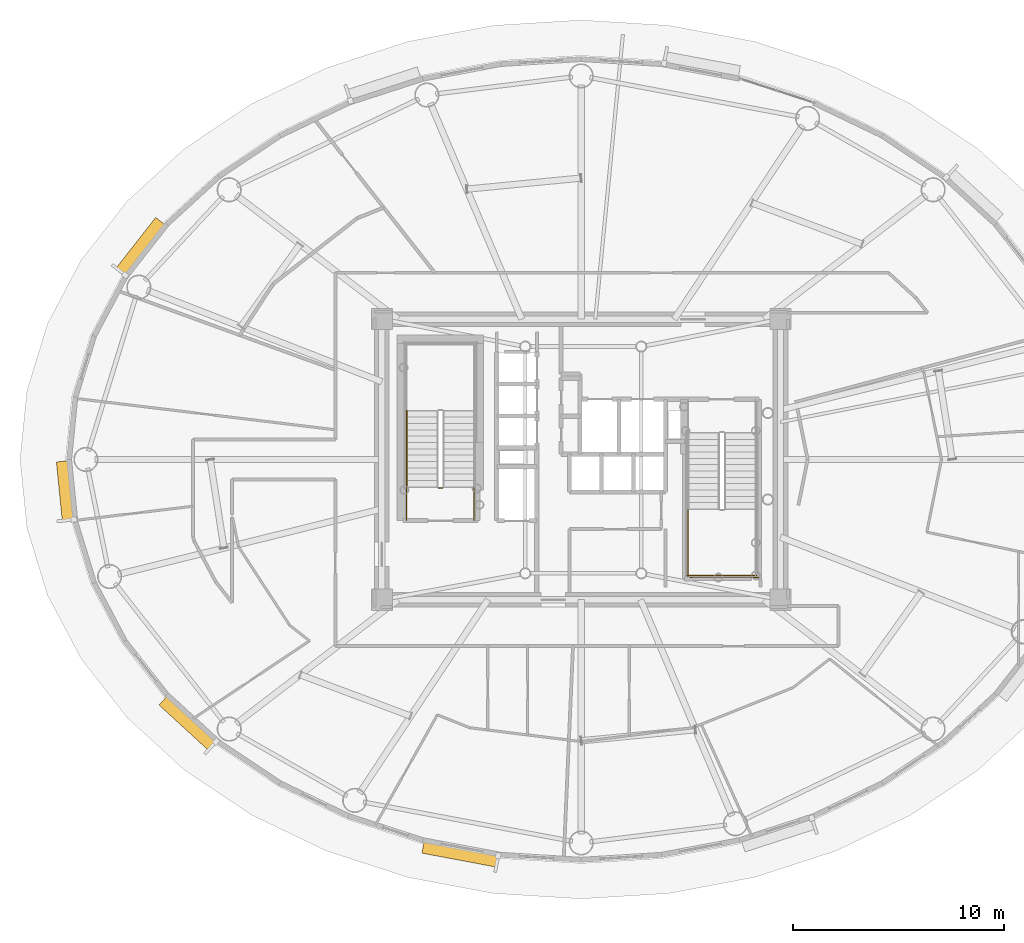
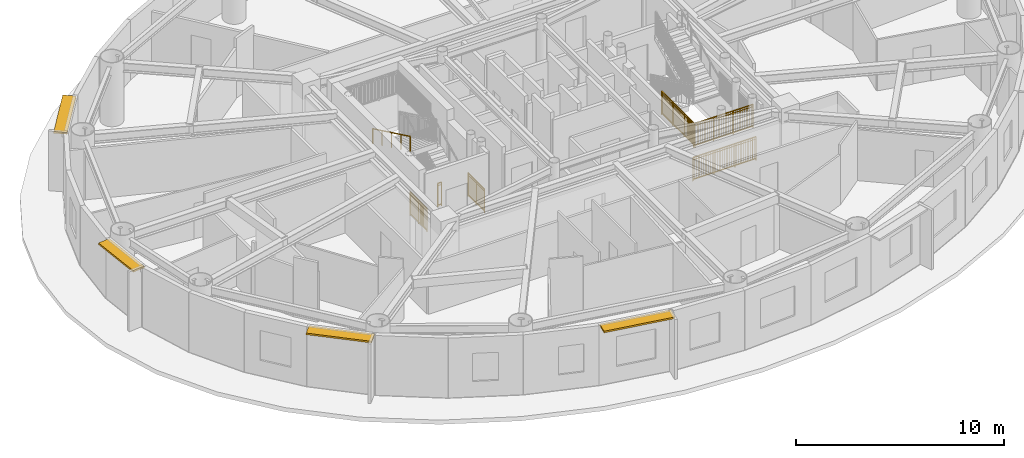
# One storey, part 14 of 19: 7 railings, 4 shading devices.
"""IFC4 building model written with IfcOpenShell, lengths in metres."""

from ifc_helpers import new_model, si_unit, direction, frame, origin, origin_2d, place, context, subcontext, project, spatial, rectangle, extrude, source, transform, mapped, material, layer, layer_set, type_object, element, save


model = new_model("IFC4")

# Units and contexts
model_context = context("Model", 3, precision=1e-05, world=origin(), true_north=direction((0.0, 1.0)))
body_context = subcontext(model_context, "Body", "Model", "MODEL_VIEW")
ifc_project = project(units=[si_unit("LENGTHUNIT", "METRE"), si_unit("AREAUNIT", "SQUARE_METRE"), si_unit("VOLUMEUNIT", "CUBIC_METRE"), si_unit("PLANEANGLEUNIT", "RADIAN"), si_unit("MASSUNIT", "GRAM", prefix="KILO")], contexts=[model_context])

# Site, building, storey
site_placement = place(None, origin())
site = spatial("IfcSite", under=ifc_project, at=site_placement, CompositionType="ELEMENT")
building_placement = place(site_placement, origin())
building = spatial("IfcBuilding", under=site, at=building_placement, Name="Linh Dai School and Residence Tower", CompositionType="ELEMENT")
storey_placement = place(building_placement, frame((0.0, 0.0, 210.300048828125)))
storey = spatial("IfcBuildingStorey", under=building, at=storey_placement, Name="L51", CompositionType="ELEMENT", Elevation=210.300048828125)

# Shading devices
ifc_material_1 = material(Name="Terracotta Ceramic Sunshade", Category="masonry")
ifc_layer = layer(ifc_material_1, 0.10009765625)
ifc_layer_set = layer_set([ifc_layer], Name="Terracotta Ceramic Sunshade")
shading_device_type = type_object("IfcShadingDeviceType", Name="SHD-TC-650", PredefinedType="USERDEFINED", material=ifc_layer_set)
shared_shape_1 = source(origin(), body_context, "Body", "SweptSolid", [
    extrude(rectangle(XDim=2.859619140625, YDim=0.64990234375, at=origin_2d()), origin(), (0.0, 0.0, 1.0), 0.10009765625),
])
shading_device_1_placement = place(storey_placement, frame((11.59033203125, 25.489501953125, 3.3798828125), z_axis=(0.0, 0.0, 1.0), x_axis=(-0.100012244219, 0.99498620644, 0.0)))
element("IfcShadingDevice", 1, at=shading_device_1_placement, inside=storey, type_object=shading_device_type, Name="L51 Terracotta Horizontal Sunshade Band 21", ObjectType="SUNSHADE", PredefinedType="USERDEFINED", context=body_context, shape_type="MappedRepresentation", body=[
    mapped(shared_shape_1, transform((0.0, 0.0, 0.0), x_axis=(1.0, 0.0, 0.0), y_axis=(0.0, 1.0, 0.0), z_axis=(0.0, 0.0, 1.0), scale=1.0)),
])
shared_shape_2 = source(origin(), body_context, "Body", "SweptSolid", [
    extrude(rectangle(XDim=3.219482421875, YDim=0.64990234375, at=origin_2d()), origin(), (0.0, 0.0, 1.0), 0.10009765625),
])
shading_device_2_placement = place(storey_placement, frame((17.39501953125, 14.51220703125, 3.3798828125), z_axis=(0.0, 0.0, 1.0), x_axis=(-0.737125300096, 0.675756089102, 0.0)))
element("IfcShadingDevice", 2, at=shading_device_2_placement, inside=storey, type_object=shading_device_type, Name="L51 Terracotta Horizontal Sunshade Band 25", ObjectType="SUNSHADE", PredefinedType="USERDEFINED", context=body_context, shape_type="MappedRepresentation", body=[
    mapped(shared_shape_2, transform((0.0, 0.0, 0.0), x_axis=(1.0, 0.0, 0.0), y_axis=(0.0, 1.0, 0.0), z_axis=(0.0, 0.0, 1.0), scale=1.0)),
])
shared_shape_3 = source(origin(), body_context, "Body", "SweptSolid", [
    extrude(rectangle(XDim=3.62158203125, YDim=0.64990234375, at=origin_2d()), origin(), (0.0, 0.0, 1.0), 0.10009765625),
])
shading_device_3_placement = place(storey_placement, frame((30.2919921875, 8.32275390625, 3.3798828125), z_axis=(0.0, 0.0, 1.0), x_axis=(-0.982786586765, 0.18474448537, 0.0)))
element("IfcShadingDevice", 3, at=shading_device_3_placement, inside=storey, type_object=shading_device_type, Name="L51 Terracotta Horizontal Sunshade Band 29", ObjectType="SUNSHADE", PredefinedType="USERDEFINED", context=body_context, shape_type="MappedRepresentation", body=[
    mapped(shared_shape_3, transform((0.0, 0.0, 0.0), x_axis=(1.0, 0.0, 0.0), y_axis=(0.0, 1.0, 0.0), z_axis=(0.0, 0.0, 1.0), scale=1.0)),
])
shared_shape_4 = source(origin(), body_context, "Body", "SweptSolid", [
    extrude(rectangle(XDim=3.095703125, YDim=0.64990234375, at=origin_2d()), origin(), (0.0, 0.0, 1.0), 0.10009765625),
])
shading_device_4_placement = place(storey_placement, frame((15.133544921875, 37.050537109375, 3.3798828125), z_axis=(0.0, 0.0, 1.0), x_axis=(0.616331674867, 0.787486677066, 0.0)))
element("IfcShadingDevice", 4, at=shading_device_4_placement, inside=storey, type_object=shading_device_type, Name="L51 Terracotta Horizontal Sunshade Band 17", ObjectType="SUNSHADE", PredefinedType="USERDEFINED", context=body_context, shape_type="MappedRepresentation", body=[
    mapped(shared_shape_4, transform((0.0, 0.0, 0.0), x_axis=(1.0, 0.0, 0.0), y_axis=(0.0, 1.0, 0.0), z_axis=(0.0, 0.0, 1.0), scale=1.0)),
])

# Railings
ifc_material_2 = material(Name="Structural Steel S355JR", Category="steel")
railing_type_1 = type_object("IfcRailingType", Name="RL-ST-GUARD-1400", PredefinedType="GUARDRAIL", material=ifc_material_2)
shared_shape_5 = source(origin(), body_context, "Body", "SweptSolid", [
    extrude(rectangle(XDim=0.048095703125, YDim=0.048095703125, at=origin_2d()), frame((0.0, 0.0, 1.3759765625), z_axis=(-1.0, 0.0, 0.0), x_axis=(0.0, -1.0, 0.0)), (0.0, 0.0, 1.0), 0.199951171875),
    extrude(rectangle(XDim=0.048095703125, YDim=0.048095703125, at=origin_2d()), frame((0.0, 0.0, 0.10009765625), z_axis=(-1.0, 0.0, 0.0), x_axis=(0.0, -1.0, 0.0)), (0.0, 0.0, 1.0), 0.199951171875),
    extrude(rectangle(XDim=0.030029296875, YDim=0.030029296875, at=origin_2d()), frame((0.0, 0.0, 1.239990234375), z_axis=(-1.0, 0.0, 0.0), x_axis=(0.0, -1.0, 0.0)), (0.0, 0.0, 1.0), 0.199951171875),
    extrude(rectangle(XDim=0.0419921875, YDim=0.0419921875, at=origin_2d()), origin(), (0.0, 0.0, 1.0), 1.3759765625),
    extrude(rectangle(XDim=0.0419921875, YDim=0.0419921875, at=origin_2d()), frame((-0.199951171875, 0.0, 0.0)), (0.0, 0.0, 1.0), 1.3759765625),
])
railing_1_placement = place(storey_placement, frame((29.429931640625, 25.64990234375, 0.0)))
element("IfcRailing", 5, at=railing_1_placement, inside=storey, type_object=railing_type_1, Name="L51 ST1 stair guard 7", PredefinedType="GUARDRAIL", context=body_context, shape_type="MappedRepresentation", body=[
    mapped(shared_shape_5, transform((0.0, 0.0, 0.0), x_axis=(1.0, 0.0, 0.0), y_axis=(0.0, 1.0, 0.0), z_axis=(0.0, 0.0, 1.0), scale=1.0)),
])
shared_shape_6 = source(origin(), body_context, "Body", "SweptSolid", [
    extrude(rectangle(XDim=0.048095703125, YDim=0.048095703125, at=origin_2d()), frame((0.0, 0.0, 1.3759765625), z_axis=(0.0, 1.0, 0.0), x_axis=(-1.0, 0.0, 0.0)), (0.0, 0.0, 1.0), 1.599853515625),
    extrude(rectangle(XDim=0.048095703125, YDim=0.048095703125, at=origin_2d()), frame((0.0, 0.0, 0.10009765625), z_axis=(0.0, 1.0, 0.0), x_axis=(-1.0, 0.0, 0.0)), (0.0, 0.0, 1.0), 1.599853515625),
    extrude(rectangle(XDim=0.030029296875, YDim=0.030029296875, at=origin_2d()), frame((0.0, 0.0, 1.239990234375), z_axis=(0.0, 1.0, 0.0), x_axis=(-1.0, 0.0, 0.0)), (0.0, 0.0, 1.0), 1.599853515625),
    extrude(rectangle(XDim=0.02001953125, YDim=0.02001953125, at=origin_2d()), frame((0.0, 0.093994140625, 0.10009765625)), (0.0, 0.0, 1.0), 1.251708984375),
    extrude(rectangle(XDim=0.02001953125, YDim=0.02001953125, at=origin_2d()), frame((0.0, 0.188232421875, 0.10009765625)), (0.0, 0.0, 1.0), 1.251708984375),
    extrude(rectangle(XDim=0.02001953125, YDim=0.02001953125, at=origin_2d()), frame((0.0, 0.2822265625, 0.10009765625)), (0.0, 0.0, 1.0), 1.251708984375),
    extrude(rectangle(XDim=0.02001953125, YDim=0.02001953125, at=origin_2d()), frame((0.0, 0.37646484375, 0.10009765625)), (0.0, 0.0, 1.0), 1.251708984375),
    extrude(rectangle(XDim=0.02001953125, YDim=0.02001953125, at=origin_2d()), frame((0.0, 0.470458984375, 0.10009765625)), (0.0, 0.0, 1.0), 1.251708984375),
    extrude(rectangle(XDim=0.02001953125, YDim=0.02001953125, at=origin_2d()), frame((0.0, 0.564697265625, 0.10009765625)), (0.0, 0.0, 1.0), 1.251708984375),
    extrude(rectangle(XDim=0.02001953125, YDim=0.02001953125, at=origin_2d()), frame((0.0, 0.65869140625, 0.10009765625)), (0.0, 0.0, 1.0), 1.251708984375),
    extrude(rectangle(XDim=0.02001953125, YDim=0.02001953125, at=origin_2d()), frame((0.0, 0.7529296875, 0.10009765625)), (0.0, 0.0, 1.0), 1.251708984375),
    extrude(rectangle(XDim=0.02001953125, YDim=0.02001953125, at=origin_2d()), frame((0.0, 0.846923828125, 0.10009765625)), (0.0, 0.0, 1.0), 1.251708984375),
    extrude(rectangle(XDim=0.02001953125, YDim=0.02001953125, at=origin_2d()), frame((0.0, 0.941162109375, 0.10009765625)), (0.0, 0.0, 1.0), 1.251708984375),
    extrude(rectangle(XDim=0.02001953125, YDim=0.02001953125, at=origin_2d()), frame((0.0, 1.03515625, 0.10009765625)), (0.0, 0.0, 1.0), 1.251708984375),
    extrude(rectangle(XDim=0.02001953125, YDim=0.02001953125, at=origin_2d()), frame((0.0, 1.12939453125, 0.10009765625)), (0.0, 0.0, 1.0), 1.251708984375),
    extrude(rectangle(XDim=0.02001953125, YDim=0.02001953125, at=origin_2d()), frame((0.0, 1.223388671875, 0.10009765625)), (0.0, 0.0, 1.0), 1.251708984375),
    extrude(rectangle(XDim=0.02001953125, YDim=0.02001953125, at=origin_2d()), frame((0.0, 1.317626953125, 0.10009765625)), (0.0, 0.0, 1.0), 1.251708984375),
    extrude(rectangle(XDim=0.02001953125, YDim=0.02001953125, at=origin_2d()), frame((0.0, 1.41162109375, 0.10009765625)), (0.0, 0.0, 1.0), 1.251708984375),
    extrude(rectangle(XDim=0.02001953125, YDim=0.02001953125, at=origin_2d()), frame((0.0, 1.505859375, 0.10009765625)), (0.0, 0.0, 1.0), 1.251708984375),
    extrude(rectangle(XDim=0.0419921875, YDim=0.0419921875, at=origin_2d()), origin(), (0.0, 0.0, 1.0), 1.3759765625),
    extrude(rectangle(XDim=0.0419921875, YDim=0.0419921875, at=origin_2d()), frame((0.0, 0.7998046875, 0.0)), (0.0, 0.0, 1.0), 1.3759765625),
    extrude(rectangle(XDim=0.0419921875, YDim=0.0419921875, at=origin_2d()), frame((0.0, 1.599853515625, 0.0)), (0.0, 0.0, 1.0), 1.3759765625),
])
for number, where, name in (
    (6, (30.929931640625, 24.10009765625, 0.0), "L51 ST1 stair guard 8"),
    (7, (27.72998046875, 24.10009765625, 0.0), "L51 ST1 stair guard 9"),
):
    element("IfcRailing", number, at=place(storey_placement, frame(where)), inside=storey, type_object=railing_type_1, Name=name, PredefinedType="GUARDRAIL", context=body_context, shape_type="MappedRepresentation", body=[
        mapped(shared_shape_6, transform((0.0, 0.0, 0.0), x_axis=(1.0, 0.0, 0.0), y_axis=(0.0, 1.0, 0.0), z_axis=(0.0, 0.0, 1.0), scale=1.0)),
    ])
ifc_material_3 = material(Name="Brushed Stainless Steel Handrail", Category="steel")
railing_type_2 = type_object("IfcRailingType", Name="RL-ST-HANDRAIL-900", PredefinedType="HANDRAIL", material=ifc_material_3)
shared_shape_7 = source(origin(), body_context, "Body", "SweptSolid", [
    extrude(rectangle(XDim=0.048095703125, YDim=0.048095703125, at=origin_2d()), frame((0.0, 0.0, 0.8759765625), z_axis=(0.0, -0.901262522062, 0.433273431364), x_axis=(1.0, 0.0, 0.0)), (0.0, 0.0, 1.0), 3.994384765625),
    extrude(rectangle(XDim=0.0419921875, YDim=0.0419921875, at=origin_2d()), origin(), (0.0, 0.0, 1.0), 0.8759765625),
    extrude(rectangle(XDim=0.0419921875, YDim=0.0419921875, at=origin_2d()), frame((0.0, -0.89990234375, 0.4326171875)), (0.0, 0.0, 1.0), 0.8759765625),
    extrude(rectangle(XDim=0.0419921875, YDim=0.0419921875, at=origin_2d()), frame((0.0, -1.800048828125, 0.865234375)), (0.0, 0.0, 1.0), 0.8759765625),
    extrude(rectangle(XDim=0.0419921875, YDim=0.0419921875, at=origin_2d()), frame((0.0, -2.7001953125, 1.298095703125)), (0.0, 0.0, 1.0), 0.8759765625),
    extrude(rectangle(XDim=0.0419921875, YDim=0.0419921875, at=origin_2d()), frame((0.0, -3.60009765625, 1.730712890625)), (0.0, 0.0, 1.0), 0.8759765625),
])
railing_2_placement = place(storey_placement, frame((27.72998046875, 29.300048828125, 2.019287109375)))
element("IfcRailing", 8, at=railing_2_placement, inside=storey, type_object=railing_type_2, Name="L51 ST1 stair handrail 2", PredefinedType="HANDRAIL", context=body_context, shape_type="MappedRepresentation", body=[
    mapped(shared_shape_7, transform((0.0, 0.0, 0.0), x_axis=(1.0, 0.0, 0.0), y_axis=(0.0, 1.0, 0.0), z_axis=(0.0, 0.0, 1.0), scale=1.0)),
])
shared_shape_8 = source(origin(), body_context, "Body", "SweptSolid", [
    extrude(rectangle(XDim=0.048095703125, YDim=0.048095703125, at=origin_2d()), frame((0.0, 0.0, 1.3759765625), z_axis=(1.0, 0.0, 0.0), x_axis=(0.0, 1.0, 0.0)), (0.0, 0.0, 1.0), 3.300048828125),
    extrude(rectangle(XDim=0.048095703125, YDim=0.048095703125, at=origin_2d()), frame((0.0, 0.0, 0.10009765625), z_axis=(1.0, 0.0, 0.0), x_axis=(0.0, 1.0, 0.0)), (0.0, 0.0, 1.0), 3.300048828125),
    extrude(rectangle(XDim=0.030029296875, YDim=0.030029296875, at=origin_2d()), frame((0.0, 0.0, 1.239990234375), z_axis=(1.0, 0.0, 0.0), x_axis=(0.0, 1.0, 0.0)), (0.0, 0.0, 1.0), 3.300048828125),
    extrude(rectangle(XDim=0.02001953125, YDim=0.02001953125, at=origin_2d()), frame((0.09716796875, 0.0, 0.10009765625)), (0.0, 0.0, 1.0), 1.251708984375),
    extrude(rectangle(XDim=0.02001953125, YDim=0.02001953125, at=origin_2d()), frame((0.194091796875, 0.0, 0.10009765625)), (0.0, 0.0, 1.0), 1.251708984375),
    extrude(rectangle(XDim=0.02001953125, YDim=0.02001953125, at=origin_2d()), frame((0.291259765625, 0.0, 0.10009765625)), (0.0, 0.0, 1.0), 1.251708984375),
    extrude(rectangle(XDim=0.02001953125, YDim=0.02001953125, at=origin_2d()), frame((0.38818359375, 0.0, 0.10009765625)), (0.0, 0.0, 1.0), 1.251708984375),
    extrude(rectangle(XDim=0.02001953125, YDim=0.02001953125, at=origin_2d()), frame((0.4853515625, 0.0, 0.10009765625)), (0.0, 0.0, 1.0), 1.251708984375),
    extrude(rectangle(XDim=0.02001953125, YDim=0.02001953125, at=origin_2d()), frame((0.582275390625, 0.0, 0.10009765625)), (0.0, 0.0, 1.0), 1.251708984375),
    extrude(rectangle(XDim=0.02001953125, YDim=0.02001953125, at=origin_2d()), frame((0.679443359375, 0.0, 0.10009765625)), (0.0, 0.0, 1.0), 1.251708984375),
    extrude(rectangle(XDim=0.02001953125, YDim=0.02001953125, at=origin_2d()), frame((0.7763671875, 0.0, 0.10009765625)), (0.0, 0.0, 1.0), 1.251708984375),
    extrude(rectangle(XDim=0.02001953125, YDim=0.02001953125, at=origin_2d()), frame((0.87353515625, 0.0, 0.10009765625)), (0.0, 0.0, 1.0), 1.251708984375),
    extrude(rectangle(XDim=0.02001953125, YDim=0.02001953125, at=origin_2d()), frame((0.970703125, 0.0, 0.10009765625)), (0.0, 0.0, 1.0), 1.251708984375),
    extrude(rectangle(XDim=0.02001953125, YDim=0.02001953125, at=origin_2d()), frame((1.164794921875, 0.0, 0.10009765625)), (0.0, 0.0, 1.0), 1.251708984375),
    extrude(rectangle(XDim=0.02001953125, YDim=0.02001953125, at=origin_2d()), frame((1.26171875, 0.0, 0.10009765625)), (0.0, 0.0, 1.0), 1.251708984375),
    extrude(rectangle(XDim=0.02001953125, YDim=0.02001953125, at=origin_2d()), frame((1.35888671875, 0.0, 0.10009765625)), (0.0, 0.0, 1.0), 1.251708984375),
    extrude(rectangle(XDim=0.02001953125, YDim=0.02001953125, at=origin_2d()), frame((1.455810546875, 0.0, 0.10009765625)), (0.0, 0.0, 1.0), 1.251708984375),
    extrude(rectangle(XDim=0.02001953125, YDim=0.02001953125, at=origin_2d()), frame((1.552978515625, 0.0, 0.10009765625)), (0.0, 0.0, 1.0), 1.251708984375),
    extrude(rectangle(XDim=0.02001953125, YDim=0.02001953125, at=origin_2d()), frame((1.64990234375, 0.0, 0.10009765625)), (0.0, 0.0, 1.0), 1.251708984375),
    extrude(rectangle(XDim=0.02001953125, YDim=0.02001953125, at=origin_2d()), frame((1.7470703125, 0.0, 0.10009765625)), (0.0, 0.0, 1.0), 1.251708984375),
    extrude(rectangle(XDim=0.02001953125, YDim=0.02001953125, at=origin_2d()), frame((1.84423828125, 0.0, 0.10009765625)), (0.0, 0.0, 1.0), 1.251708984375),
    extrude(rectangle(XDim=0.02001953125, YDim=0.02001953125, at=origin_2d()), frame((1.941162109375, 0.0, 0.10009765625)), (0.0, 0.0, 1.0), 1.251708984375),
    extrude(rectangle(XDim=0.02001953125, YDim=0.02001953125, at=origin_2d()), frame((2.038330078125, 0.0, 0.10009765625)), (0.0, 0.0, 1.0), 1.251708984375),
    extrude(rectangle(XDim=0.02001953125, YDim=0.02001953125, at=origin_2d()), frame((2.13525390625, 0.0, 0.10009765625)), (0.0, 0.0, 1.0), 1.251708984375),
    extrude(rectangle(XDim=0.02001953125, YDim=0.02001953125, at=origin_2d()), frame((2.329345703125, 0.0, 0.10009765625)), (0.0, 0.0, 1.0), 1.251708984375),
    extrude(rectangle(XDim=0.02001953125, YDim=0.02001953125, at=origin_2d()), frame((2.426513671875, 0.0, 0.10009765625)), (0.0, 0.0, 1.0), 1.251708984375),
    extrude(rectangle(XDim=0.02001953125, YDim=0.02001953125, at=origin_2d()), frame((2.523681640625, 0.0, 0.10009765625)), (0.0, 0.0, 1.0), 1.251708984375),
    extrude(rectangle(XDim=0.02001953125, YDim=0.02001953125, at=origin_2d()), frame((2.62060546875, 0.0, 0.10009765625)), (0.0, 0.0, 1.0), 1.251708984375),
    extrude(rectangle(XDim=0.02001953125, YDim=0.02001953125, at=origin_2d()), frame((2.7177734375, 0.0, 0.10009765625)), (0.0, 0.0, 1.0), 1.251708984375),
    extrude(rectangle(XDim=0.02001953125, YDim=0.02001953125, at=origin_2d()), frame((2.814697265625, 0.0, 0.10009765625)), (0.0, 0.0, 1.0), 1.251708984375),
    extrude(rectangle(XDim=0.02001953125, YDim=0.02001953125, at=origin_2d()), frame((2.911865234375, 0.0, 0.10009765625)), (0.0, 0.0, 1.0), 1.251708984375),
    extrude(rectangle(XDim=0.02001953125, YDim=0.02001953125, at=origin_2d()), frame((3.0087890625, 0.0, 0.10009765625)), (0.0, 0.0, 1.0), 1.251708984375),
    extrude(rectangle(XDim=0.02001953125, YDim=0.02001953125, at=origin_2d()), frame((3.10595703125, 0.0, 0.10009765625)), (0.0, 0.0, 1.0), 1.251708984375),
    extrude(rectangle(XDim=0.02001953125, YDim=0.02001953125, at=origin_2d()), frame((3.202880859375, 0.0, 0.10009765625)), (0.0, 0.0, 1.0), 1.251708984375),
    extrude(rectangle(XDim=0.0419921875, YDim=0.0419921875, at=origin_2d()), origin(), (0.0, 0.0, 1.0), 1.3759765625),
    extrude(rectangle(XDim=0.0419921875, YDim=0.0419921875, at=origin_2d()), frame((1.10009765625, 0.0, 0.0)), (0.0, 0.0, 1.0), 1.3759765625),
    extrude(rectangle(XDim=0.0419921875, YDim=0.0419921875, at=origin_2d()), frame((2.199951171875, 0.0, 0.0)), (0.0, 0.0, 1.0), 1.3759765625),
    extrude(rectangle(XDim=0.0419921875, YDim=0.0419921875, at=origin_2d()), frame((3.300048828125, 0.0, 0.0)), (0.0, 0.0, 1.0), 1.3759765625),
])
railing_3_placement = place(storey_placement, frame((41.02001953125, 21.5, 1.875)))
element("IfcRailing", 9, at=railing_3_placement, inside=storey, type_object=railing_type_1, Name="L51 ST2 stair guard 5", PredefinedType="GUARDRAIL", context=body_context, shape_type="MappedRepresentation", body=[
    mapped(shared_shape_8, transform((0.0, 0.0, 0.0), x_axis=(1.0, 0.0, 0.0), y_axis=(0.0, 1.0, 0.0), z_axis=(0.0, 0.0, 1.0), scale=1.0)),
])
shared_shape_9 = source(origin(), body_context, "Body", "SweptSolid", [
    extrude(rectangle(XDim=0.048095703125, YDim=0.048095703125, at=origin_2d()), frame((0.0, 0.0, 1.3759765625), z_axis=(1.0, 0.0, 0.0), x_axis=(0.0, 1.0, 0.0)), (0.0, 0.0, 1.0), 3.5),
    extrude(rectangle(XDim=0.048095703125, YDim=0.048095703125, at=origin_2d()), frame((0.0, 0.0, 0.10009765625), z_axis=(1.0, 0.0, 0.0), x_axis=(0.0, 1.0, 0.0)), (0.0, 0.0, 1.0), 3.5),
    extrude(rectangle(XDim=0.030029296875, YDim=0.030029296875, at=origin_2d()), frame((0.0, 0.0, 1.239990234375), z_axis=(1.0, 0.0, 0.0), x_axis=(0.0, 1.0, 0.0)), (0.0, 0.0, 1.0), 3.5),
    extrude(rectangle(XDim=0.02001953125, YDim=0.02001953125, at=origin_2d()), frame((0.09716796875, 0.0, 0.10009765625)), (0.0, 0.0, 1.0), 1.251708984375),
    extrude(rectangle(XDim=0.02001953125, YDim=0.02001953125, at=origin_2d()), frame((0.1943359375, 0.0, 0.10009765625)), (0.0, 0.0, 1.0), 1.251708984375),
    extrude(rectangle(XDim=0.02001953125, YDim=0.02001953125, at=origin_2d()), frame((0.291748046875, 0.0, 0.10009765625)), (0.0, 0.0, 1.0), 1.251708984375),
    extrude(rectangle(XDim=0.02001953125, YDim=0.02001953125, at=origin_2d()), frame((0.388916015625, 0.0, 0.10009765625)), (0.0, 0.0, 1.0), 1.251708984375),
    extrude(rectangle(XDim=0.02001953125, YDim=0.02001953125, at=origin_2d()), frame((0.486083984375, 0.0, 0.10009765625)), (0.0, 0.0, 1.0), 1.251708984375),
    extrude(rectangle(XDim=0.02001953125, YDim=0.02001953125, at=origin_2d()), frame((0.583251953125, 0.0, 0.10009765625)), (0.0, 0.0, 1.0), 1.251708984375),
    extrude(rectangle(XDim=0.02001953125, YDim=0.02001953125, at=origin_2d()), frame((0.6806640625, 0.0, 0.10009765625)), (0.0, 0.0, 1.0), 1.251708984375),
    extrude(rectangle(XDim=0.02001953125, YDim=0.02001953125, at=origin_2d()), frame((0.77783203125, 0.0, 0.10009765625)), (0.0, 0.0, 1.0), 1.251708984375),
    extrude(rectangle(XDim=0.02001953125, YDim=0.02001953125, at=origin_2d()), frame((0.875, 0.0, 0.10009765625)), (0.0, 0.0, 1.0), 1.251708984375),
    extrude(rectangle(XDim=0.02001953125, YDim=0.02001953125, at=origin_2d()), frame((0.97216796875, 0.0, 0.10009765625)), (0.0, 0.0, 1.0), 1.251708984375),
    extrude(rectangle(XDim=0.02001953125, YDim=0.02001953125, at=origin_2d()), frame((1.0693359375, 0.0, 0.10009765625)), (0.0, 0.0, 1.0), 1.251708984375),
    extrude(rectangle(XDim=0.02001953125, YDim=0.02001953125, at=origin_2d()), frame((1.263916015625, 0.0, 0.10009765625)), (0.0, 0.0, 1.0), 1.251708984375),
    extrude(rectangle(XDim=0.02001953125, YDim=0.02001953125, at=origin_2d()), frame((1.361083984375, 0.0, 0.10009765625)), (0.0, 0.0, 1.0), 1.251708984375),
    extrude(rectangle(XDim=0.02001953125, YDim=0.02001953125, at=origin_2d()), frame((1.458251953125, 0.0, 0.10009765625)), (0.0, 0.0, 1.0), 1.251708984375),
    extrude(rectangle(XDim=0.02001953125, YDim=0.02001953125, at=origin_2d()), frame((1.5556640625, 0.0, 0.10009765625)), (0.0, 0.0, 1.0), 1.251708984375),
    extrude(rectangle(XDim=0.02001953125, YDim=0.02001953125, at=origin_2d()), frame((1.65283203125, 0.0, 0.10009765625)), (0.0, 0.0, 1.0), 1.251708984375),
    extrude(rectangle(XDim=0.02001953125, YDim=0.02001953125, at=origin_2d()), frame((1.75, 0.0, 0.10009765625)), (0.0, 0.0, 1.0), 1.251708984375),
    extrude(rectangle(XDim=0.02001953125, YDim=0.02001953125, at=origin_2d()), frame((1.84716796875, 0.0, 0.10009765625)), (0.0, 0.0, 1.0), 1.251708984375),
    extrude(rectangle(XDim=0.02001953125, YDim=0.02001953125, at=origin_2d()), frame((1.9443359375, 0.0, 0.10009765625)), (0.0, 0.0, 1.0), 1.251708984375),
    extrude(rectangle(XDim=0.02001953125, YDim=0.02001953125, at=origin_2d()), frame((2.041748046875, 0.0, 0.10009765625)), (0.0, 0.0, 1.0), 1.251708984375),
    extrude(rectangle(XDim=0.02001953125, YDim=0.02001953125, at=origin_2d()), frame((2.138916015625, 0.0, 0.10009765625)), (0.0, 0.0, 1.0), 1.251708984375),
    extrude(rectangle(XDim=0.02001953125, YDim=0.02001953125, at=origin_2d()), frame((2.236083984375, 0.0, 0.10009765625)), (0.0, 0.0, 1.0), 1.251708984375),
    extrude(rectangle(XDim=0.02001953125, YDim=0.02001953125, at=origin_2d()), frame((2.4306640625, 0.0, 0.10009765625)), (0.0, 0.0, 1.0), 1.251708984375),
    extrude(rectangle(XDim=0.02001953125, YDim=0.02001953125, at=origin_2d()), frame((2.52783203125, 0.0, 0.10009765625)), (0.0, 0.0, 1.0), 1.251708984375),
    extrude(rectangle(XDim=0.02001953125, YDim=0.02001953125, at=origin_2d()), frame((2.625, 0.0, 0.10009765625)), (0.0, 0.0, 1.0), 1.251708984375),
    extrude(rectangle(XDim=0.02001953125, YDim=0.02001953125, at=origin_2d()), frame((2.72216796875, 0.0, 0.10009765625)), (0.0, 0.0, 1.0), 1.251708984375),
    extrude(rectangle(XDim=0.02001953125, YDim=0.02001953125, at=origin_2d()), frame((2.8193359375, 0.0, 0.10009765625)), (0.0, 0.0, 1.0), 1.251708984375),
    extrude(rectangle(XDim=0.02001953125, YDim=0.02001953125, at=origin_2d()), frame((2.916748046875, 0.0, 0.10009765625)), (0.0, 0.0, 1.0), 1.251708984375),
    extrude(rectangle(XDim=0.02001953125, YDim=0.02001953125, at=origin_2d()), frame((3.013916015625, 0.0, 0.10009765625)), (0.0, 0.0, 1.0), 1.251708984375),
    extrude(rectangle(XDim=0.02001953125, YDim=0.02001953125, at=origin_2d()), frame((3.111083984375, 0.0, 0.10009765625)), (0.0, 0.0, 1.0), 1.251708984375),
    extrude(rectangle(XDim=0.02001953125, YDim=0.02001953125, at=origin_2d()), frame((3.208251953125, 0.0, 0.10009765625)), (0.0, 0.0, 1.0), 1.251708984375),
    extrude(rectangle(XDim=0.02001953125, YDim=0.02001953125, at=origin_2d()), frame((3.3056640625, 0.0, 0.10009765625)), (0.0, 0.0, 1.0), 1.251708984375),
    extrude(rectangle(XDim=0.02001953125, YDim=0.02001953125, at=origin_2d()), frame((3.40283203125, 0.0, 0.10009765625)), (0.0, 0.0, 1.0), 1.251708984375),
    extrude(rectangle(XDim=0.0419921875, YDim=0.0419921875, at=origin_2d()), origin(), (0.0, 0.0, 1.0), 1.3759765625),
    extrude(rectangle(XDim=0.0419921875, YDim=0.0419921875, at=origin_2d()), frame((1.166748046875, 0.0, 0.0)), (0.0, 0.0, 1.0), 1.3759765625),
    extrude(rectangle(XDim=0.0419921875, YDim=0.0419921875, at=origin_2d()), frame((2.333251953125, 0.0, 0.0)), (0.0, 0.0, 1.0), 1.3759765625),
    extrude(rectangle(XDim=0.0419921875, YDim=0.0419921875, at=origin_2d()), frame((3.5, 0.0, 0.0)), (0.0, 0.0, 1.0), 1.3759765625),
])
railing_4_placement = place(storey_placement, frame((40.919921875, 21.39990234375, 0.0)))
element("IfcRailing", 10, at=railing_4_placement, inside=storey, type_object=railing_type_1, Name="L51 ST2 stair guard 12", PredefinedType="GUARDRAIL", context=body_context, shape_type="MappedRepresentation", body=[
    mapped(shared_shape_9, transform((0.0, 0.0, 0.0), x_axis=(1.0, 0.0, 0.0), y_axis=(0.0, 1.0, 0.0), z_axis=(0.0, 0.0, 1.0), scale=1.0)),
])
shared_shape_10 = source(origin(), body_context, "Body", "SweptSolid", [
    extrude(rectangle(XDim=0.048095703125, YDim=0.048095703125, at=origin_2d()), frame((0.0, 0.0, 1.3759765625), z_axis=(0.0, -1.0, 0.0), x_axis=(1.0, 0.0, 0.0)), (0.0, 0.0, 1.0), 3.199951171875),
    extrude(rectangle(XDim=0.048095703125, YDim=0.048095703125, at=origin_2d()), frame((0.0, 0.0, 0.10009765625), z_axis=(0.0, -1.0, 0.0), x_axis=(1.0, 0.0, 0.0)), (0.0, 0.0, 1.0), 3.199951171875),
    extrude(rectangle(XDim=0.030029296875, YDim=0.030029296875, at=origin_2d()), frame((0.0, 0.0, 1.239990234375), z_axis=(0.0, -1.0, 0.0), x_axis=(1.0, 0.0, 0.0)), (0.0, 0.0, 1.0), 3.199951171875),
    extrude(rectangle(XDim=0.02001953125, YDim=0.02001953125, at=origin_2d()), frame((0.0, -0.096923828125, 0.10009765625)), (0.0, 0.0, 1.0), 1.251708984375),
    extrude(rectangle(XDim=0.02001953125, YDim=0.02001953125, at=origin_2d()), frame((0.0, -0.19384765625, 0.10009765625)), (0.0, 0.0, 1.0), 1.251708984375),
    extrude(rectangle(XDim=0.02001953125, YDim=0.02001953125, at=origin_2d()), frame((0.0, -0.291015625, 0.10009765625)), (0.0, 0.0, 1.0), 1.251708984375),
    extrude(rectangle(XDim=0.02001953125, YDim=0.02001953125, at=origin_2d()), frame((0.0, -0.387939453125, 0.10009765625)), (0.0, 0.0, 1.0), 1.251708984375),
    extrude(rectangle(XDim=0.02001953125, YDim=0.02001953125, at=origin_2d()), frame((0.0, -0.48486328125, 0.10009765625)), (0.0, 0.0, 1.0), 1.251708984375),
    extrude(rectangle(XDim=0.02001953125, YDim=0.02001953125, at=origin_2d()), frame((0.0, -0.581787109375, 0.10009765625)), (0.0, 0.0, 1.0), 1.251708984375),
    extrude(rectangle(XDim=0.02001953125, YDim=0.02001953125, at=origin_2d()), frame((0.0, -0.6787109375, 0.10009765625)), (0.0, 0.0, 1.0), 1.251708984375),
    extrude(rectangle(XDim=0.02001953125, YDim=0.02001953125, at=origin_2d()), frame((0.0, -0.775634765625, 0.10009765625)), (0.0, 0.0, 1.0), 1.251708984375),
    extrude(rectangle(XDim=0.02001953125, YDim=0.02001953125, at=origin_2d()), frame((0.0, -0.872802734375, 0.10009765625)), (0.0, 0.0, 1.0), 1.251708984375),
    extrude(rectangle(XDim=0.02001953125, YDim=0.02001953125, at=origin_2d()), frame((0.0, -0.9697265625, 0.10009765625)), (0.0, 0.0, 1.0), 1.251708984375),
    extrude(rectangle(XDim=0.02001953125, YDim=0.02001953125, at=origin_2d()), frame((0.0, -1.16357421875, 0.10009765625)), (0.0, 0.0, 1.0), 1.251708984375),
    extrude(rectangle(XDim=0.02001953125, YDim=0.02001953125, at=origin_2d()), frame((0.0, -1.260498046875, 0.10009765625)), (0.0, 0.0, 1.0), 1.251708984375),
    extrude(rectangle(XDim=0.02001953125, YDim=0.02001953125, at=origin_2d()), frame((0.0, -1.357666015625, 0.10009765625)), (0.0, 0.0, 1.0), 1.251708984375),
    extrude(rectangle(XDim=0.02001953125, YDim=0.02001953125, at=origin_2d()), frame((0.0, -1.45458984375, 0.10009765625)), (0.0, 0.0, 1.0), 1.251708984375),
    extrude(rectangle(XDim=0.02001953125, YDim=0.02001953125, at=origin_2d()), frame((0.0, -1.551513671875, 0.10009765625)), (0.0, 0.0, 1.0), 1.251708984375),
    extrude(rectangle(XDim=0.02001953125, YDim=0.02001953125, at=origin_2d()), frame((0.0, -1.6484375, 0.10009765625)), (0.0, 0.0, 1.0), 1.251708984375),
    extrude(rectangle(XDim=0.02001953125, YDim=0.02001953125, at=origin_2d()), frame((0.0, -1.745361328125, 0.10009765625)), (0.0, 0.0, 1.0), 1.251708984375),
    extrude(rectangle(XDim=0.02001953125, YDim=0.02001953125, at=origin_2d()), frame((0.0, -1.84228515625, 0.10009765625)), (0.0, 0.0, 1.0), 1.251708984375),
    extrude(rectangle(XDim=0.02001953125, YDim=0.02001953125, at=origin_2d()), frame((0.0, -1.939453125, 0.10009765625)), (0.0, 0.0, 1.0), 1.251708984375),
    extrude(rectangle(XDim=0.02001953125, YDim=0.02001953125, at=origin_2d()), frame((0.0, -2.036376953125, 0.10009765625)), (0.0, 0.0, 1.0), 1.251708984375),
    extrude(rectangle(XDim=0.02001953125, YDim=0.02001953125, at=origin_2d()), frame((0.0, -2.230224609375, 0.10009765625)), (0.0, 0.0, 1.0), 1.251708984375),
    extrude(rectangle(XDim=0.02001953125, YDim=0.02001953125, at=origin_2d()), frame((0.0, -2.3271484375, 0.10009765625)), (0.0, 0.0, 1.0), 1.251708984375),
    extrude(rectangle(XDim=0.02001953125, YDim=0.02001953125, at=origin_2d()), frame((0.0, -2.42431640625, 0.10009765625)), (0.0, 0.0, 1.0), 1.251708984375),
    extrude(rectangle(XDim=0.02001953125, YDim=0.02001953125, at=origin_2d()), frame((0.0, -2.521240234375, 0.10009765625)), (0.0, 0.0, 1.0), 1.251708984375),
    extrude(rectangle(XDim=0.02001953125, YDim=0.02001953125, at=origin_2d()), frame((0.0, -2.6181640625, 0.10009765625)), (0.0, 0.0, 1.0), 1.251708984375),
    extrude(rectangle(XDim=0.02001953125, YDim=0.02001953125, at=origin_2d()), frame((0.0, -2.715087890625, 0.10009765625)), (0.0, 0.0, 1.0), 1.251708984375),
    extrude(rectangle(XDim=0.02001953125, YDim=0.02001953125, at=origin_2d()), frame((0.0, -2.81201171875, 0.10009765625)), (0.0, 0.0, 1.0), 1.251708984375),
    extrude(rectangle(XDim=0.02001953125, YDim=0.02001953125, at=origin_2d()), frame((0.0, -2.908935546875, 0.10009765625)), (0.0, 0.0, 1.0), 1.251708984375),
    extrude(rectangle(XDim=0.02001953125, YDim=0.02001953125, at=origin_2d()), frame((0.0, -3.006103515625, 0.10009765625)), (0.0, 0.0, 1.0), 1.251708984375),
    extrude(rectangle(XDim=0.02001953125, YDim=0.02001953125, at=origin_2d()), frame((0.0, -3.10302734375, 0.10009765625)), (0.0, 0.0, 1.0), 1.251708984375),
    extrude(rectangle(XDim=0.0419921875, YDim=0.0419921875, at=origin_2d()), origin(), (0.0, 0.0, 1.0), 1.3759765625),
    extrude(rectangle(XDim=0.0419921875, YDim=0.0419921875, at=origin_2d()), frame((0.0, -1.066650390625, 0.0)), (0.0, 0.0, 1.0), 1.3759765625),
    extrude(rectangle(XDim=0.0419921875, YDim=0.0419921875, at=origin_2d()), frame((0.0, -2.13330078125, 0.0)), (0.0, 0.0, 1.0), 1.3759765625),
    extrude(rectangle(XDim=0.0419921875, YDim=0.0419921875, at=origin_2d()), frame((0.0, -3.199951171875, 0.0)), (0.0, 0.0, 1.0), 1.3759765625),
])
railing_5_placement = place(storey_placement, frame((41.070068359375, 24.64990234375, 1.875)))
element("IfcRailing", 11, at=railing_5_placement, inside=storey, type_object=railing_type_1, Name="L51 ST2 stair guard 3", PredefinedType="GUARDRAIL", context=body_context, shape_type="MappedRepresentation", body=[
    mapped(shared_shape_10, transform((0.0, 0.0, 0.0), x_axis=(1.0, 0.0, 0.0), y_axis=(0.0, 1.0, 0.0), z_axis=(0.0, 0.0, 1.0), scale=1.0)),
])

save(model, "model.ifc")
